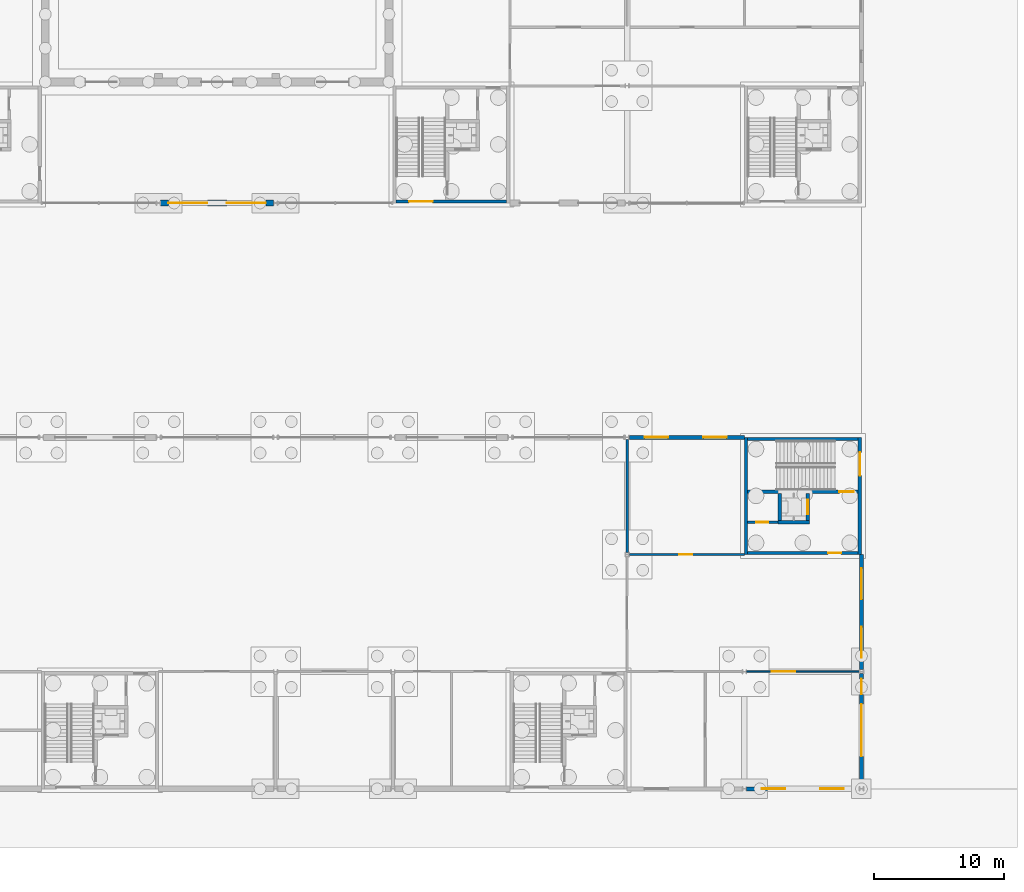
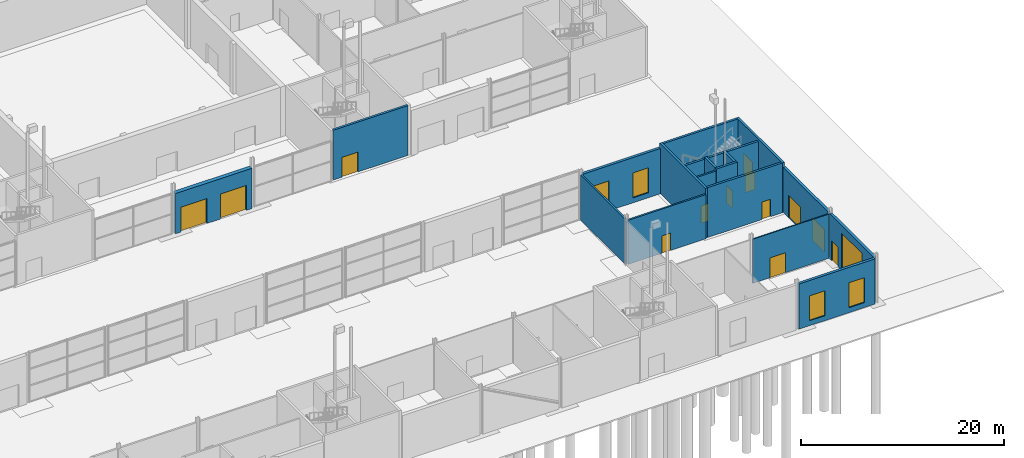
# One storey, part 75 of 97: 18 walls, 14 doors, 4 windows, 18 openings.
"""IFC4 building model written with IfcOpenShell, lengths in metres."""

from ifc_helpers import new_model, si_unit, direction, frame, frame_2d, origin, place, context, subcontext, project, spatial, rectangle, extrude, material, layer, layer_set, type_object, element, fill, save


model = new_model("IFC4")

# Units and contexts
model_context = context("Model", 3, precision=1e-05, world=origin(), true_north=direction((0.0, 1.0)))
body_context = subcontext(model_context, "Body", "Model", "MODEL_VIEW")
ifc_project = project(units=[si_unit("LENGTHUNIT", "METRE"), si_unit("AREAUNIT", "SQUARE_METRE"), si_unit("VOLUMEUNIT", "CUBIC_METRE"), si_unit("PLANEANGLEUNIT", "RADIAN"), si_unit("MASSUNIT", "GRAM", prefix="KILO")], contexts=[model_context])

# Site, building, storey
site_placement = place(None, origin())
site = spatial("IfcSite", under=ifc_project, at=site_placement, CompositionType="ELEMENT")
building_placement = place(site_placement, origin())
building = spatial("IfcBuilding", under=site, at=building_placement, Name="Corbel Yard City Hall", CompositionType="ELEMENT")
storey_placement = place(building_placement, origin())
storey = spatial("IfcBuildingStorey", under=building, at=storey_placement, Name="L00", CompositionType="ELEMENT", Elevation=0.0)

# Wall
ifc_material_1 = material(Name="Concrete N50 (50 MPa)", Category="concrete")
ifc_layer_1 = layer(ifc_material_1, 0.25)
ifc_layer_set_1 = layer_set([ifc_layer_1], Name="Concrete N50 (50 MPa)")
wall_type_1 = type_object("IfcWallType", Name="Core cell wall 250", PredefinedType="SHEAR", material=ifc_layer_set_1)
wall_1_placement = place(storey_placement, frame((171.125, 18.0, 0.0), z_axis=(0.0, 0.0, 1.0), x_axis=(0.0, 1.0, 0.0)))
element("IfcWall", 1, at=wall_1_placement, inside=storey, type_object=wall_type_1, Name="Core PC-S6 west wall", PredefinedType="SHEAR", context=body_context, shape_type="SweptSolid", body=[
    extrude(rectangle(XDim=9.0, YDim=0.25, at=frame_2d((4.5, 0.0))), origin(), (0.0, 0.0, 1.0), 6.0),
])

# Wall, opening, door
wall_2_placement = place(storey_placement, frame((179.875, 18.0, 0.0), z_axis=(0.0, 0.0, 1.0), x_axis=(0.0, 1.0, 0.0)))
wall_2 = element("IfcWall", 2, at=wall_2_placement, inside=storey, type_object=wall_type_1, Name="Core PC-S6 east wall", PredefinedType="SHEAR", context=body_context, shape_type="SweptSolid", body=[
    extrude(rectangle(XDim=9.0, YDim=0.25, at=frame_2d((4.5, 0.0))), origin(), (0.0, 0.0, 1.0), 6.0),
])
opening_1_placement = place(wall_2_placement, frame((6.050048828125, 0.0, 0.0)))
opening_1 = element("IfcOpeningElement", 3, at=opening_1_placement, cuts=wall_2, Name="Opening L00-036", PredefinedType="OPENING", context=body_context, shape_type="SweptSolid", body=[
    extrude(rectangle(XDim=1.800048828125, YDim=2.39990234375, at=frame_2d((0.89990234375, 1.199951171875))), frame((0.0, 0.135009765625, 0.0), z_axis=(0.0, -1.0, 0.0), x_axis=(1.0, 0.0, 0.0)), (0.0, 0.0, 1.0), 0.27001953125),
])
ifc_material_2 = material(Name="Steel Grade G250, insulated infill", Category="steel")
door_type_1 = type_object("IfcDoorType", Name="XD2", OperationType="DOUBLE_DOOR_SINGLE_SWING", PredefinedType="DOOR", material=ifc_material_2)
door_1_placement = place(opening_1_placement, frame((1.800048828125, 0.0, 0.0), z_axis=(0.0, 0.0, 1.0), x_axis=(-1.0, 0.0, 0.0)))
door_1 = element("IfcDoor", 4, at=door_1_placement, inside=storey, type_object=door_type_1, Name="Stair exit door PC-S6", OperationType="DOUBLE_DOOR_SINGLE_SWING", OverallHeight=2.39990234375, OverallWidth=1.800048828125, PredefinedType="DOOR", context=body_context, shape_type="SweptSolid", body=[
    extrude(rectangle(XDim=1.800048828125, YDim=2.39990234375, at=frame_2d((0.89990234375, 1.199951171875))), frame((0.0, 0.02490234375, 0.0), z_axis=(0.0, -1.0, 0.0), x_axis=(1.0, 0.0, 0.0)), (0.0, 0.0, 1.0), 0.050048828125),
])
fill(opening_1, door_1)

wall_3_placement = place(storey_placement, frame((171.25, 18.125, 0.0), z_axis=(0.0, 0.0, 1.0), x_axis=(1.0, 0.0, 0.0)))
wall_3 = element("IfcWall", 5, at=wall_3_placement, inside=storey, type_object=wall_type_1, Name="Core PC-S6 south wall", PredefinedType="SHEAR", context=body_context, shape_type="SweptSolid", body=[
    extrude(rectangle(XDim=8.5, YDim=0.25, at=frame_2d((4.25, 0.0))), origin(), (0.0, 0.0, 1.0), 6.0),
])
opening_2_placement = place(wall_3_placement, frame((6.1875, 0.0, 0.0)))
opening_2 = element("IfcOpeningElement", 6, at=opening_2_placement, cuts=wall_3, Name="Opening L00-105", PredefinedType="OPENING", context=body_context, shape_type="SweptSolid", body=[
    extrude(rectangle(XDim=1.0, YDim=2.10009765625, at=frame_2d((0.5, 1.050048828125))), frame((0.0, 0.135009765625, 0.0), z_axis=(0.0, -1.0, 0.0), x_axis=(1.0, 0.0, 0.0)), (0.0, 0.0, 1.0), 0.27001953125),
])
ifc_material_3 = material(Name="Steel Grade G250", Category="steel")
door_type_2 = type_object("IfcDoorType", Name="FS1", OperationType="SINGLE_SWING_LEFT", PredefinedType="DOOR", material=ifc_material_3)
door_2_placement = place(opening_2_placement, origin())
door_2 = element("IfcDoor", 7, at=door_2_placement, inside=storey, type_object=door_type_2, Name="Door Lift Lobby", OperationType="SINGLE_SWING_RIGHT", OverallHeight=2.10009765625, OverallWidth=1.0, PredefinedType="DOOR", context=body_context, shape_type="SweptSolid", body=[
    extrude(rectangle(XDim=1.0, YDim=2.10009765625, at=frame_2d((0.5, 1.050048828125))), frame((0.0, 0.02490234375, 0.0), z_axis=(0.0, -1.0, 0.0), x_axis=(1.0, 0.0, 0.0)), (0.0, 0.0, 1.0), 0.050048828125),
])
fill(opening_2, door_2)

# Wall
wall_4_placement = place(storey_placement, frame((171.25, 26.875, 0.0), z_axis=(0.0, 0.0, 1.0), x_axis=(1.0, 0.0, 0.0)))
element("IfcWall", 8, at=wall_4_placement, inside=storey, type_object=wall_type_1, Name="Core PC-S6 north wall", PredefinedType="SHEAR", context=body_context, shape_type="SweptSolid", body=[
    extrude(rectangle(XDim=8.5, YDim=0.25, at=frame_2d((4.25, 0.0))), origin(), (0.0, 0.0, 1.0), 6.0),
])

# Wall, opening, door
wall_5_placement = place(storey_placement, frame((144.25, 45.125, 0.0), z_axis=(0.0, 0.0, 1.0), x_axis=(1.0, 0.0, 0.0)))
wall_5 = element("IfcWall", 9, at=wall_5_placement, inside=storey, type_object=wall_type_1, Name="Core PC-M4 south wall", PredefinedType="SHEAR", context=body_context, shape_type="SweptSolid", body=[
    extrude(rectangle(XDim=8.5, YDim=0.25, at=frame_2d((4.25, 0.0))), origin(), (0.0, 0.0, 1.0), 6.0),
])
opening_3_placement = place(wall_5_placement, frame((1.0, 0.0, 0.0)))
opening_3 = element("IfcOpeningElement", 10, at=opening_3_placement, cuts=wall_5, Name="Opening L00-042", PredefinedType="OPENING", context=body_context, shape_type="SweptSolid", body=[
    extrude(rectangle(XDim=1.800048828125, YDim=2.39990234375, at=frame_2d((0.89990234375, 1.199951171875))), frame((0.0, 0.135009765625, 0.0), z_axis=(0.0, -1.0, 0.0), x_axis=(1.0, 0.0, 0.0)), (0.0, 0.0, 1.0), 0.27001953125),
])
door_3_placement = place(opening_3_placement, frame((1.800048828125, 0.0, 0.0), z_axis=(0.0, 0.0, 1.0), x_axis=(-1.0, 0.0, 0.0)))
door_3 = element("IfcDoor", 11, at=door_3_placement, inside=storey, type_object=door_type_1, Name="Stair exit door PC-M4", OperationType="DOUBLE_DOOR_SINGLE_SWING", OverallHeight=2.39990234375, OverallWidth=1.800048828125, PredefinedType="DOOR", context=body_context, shape_type="SweptSolid", body=[
    extrude(rectangle(XDim=1.800048828125, YDim=2.39990234375, at=frame_2d((0.89990234375, 1.199951171875))), frame((0.0, 0.02490234375, 0.0), z_axis=(0.0, -1.0, 0.0), x_axis=(1.0, 0.0, 0.0)), (0.0, 0.0, 1.0), 0.050048828125),
])
fill(opening_3, door_3)

# Wall, openings, windows
ifc_material_4 = material(Name="Sandstone cladding", Category="masonry")
ifc_layer_2 = layer(ifc_material_4, 0.0400390625)
ifc_material_5 = material(Name="Air cavity", Category="air")
ifc_layer_3 = layer(ifc_material_5, 0.0400390625)
ifc_material_6 = material(Name="Concrete block", Category="concrete")
ifc_layer_4 = layer(ifc_material_6, 0.18994140625)
ifc_material_7 = material(Name="Gypsum plasterboard", Category="gypsum")
ifc_layer_5 = layer(ifc_material_7, 0.030029296875)
ifc_layer_set_2 = layer_set([ifc_layer_2, ifc_layer_3, ifc_layer_4, ifc_layer_5], Name="Concrete block")
wall_type_2 = type_object("IfcWallType", Name="EW1", PredefinedType="SOLIDWALL", material=ifc_layer_set_2)
wall_6_placement = place(storey_placement, frame((171.157470703125, 0.0, 0.0), z_axis=(0.0, 0.0, 1.0), x_axis=(1.0, 0.0, 0.0)))
wall_6 = element("IfcWall", 12, at=wall_6_placement, inside=storey, type_object=wall_type_2, Name="External wall", PredefinedType="SOLIDWALL", context=body_context, shape_type="SweptSolid", body=[
    extrude(rectangle(XDim=8.68505859375, YDim=0.300048828125, at=frame_2d((4.342529296875, 0.0))), origin(), (0.0, 0.0, 1.0), 5.444091796875),
])
opening_4_placement = place(wall_6_placement, frame((1.1923828125, 0.0, 0.60009765625)))
opening_4 = element("IfcOpeningElement", 13, at=opening_4_placement, cuts=wall_6, Name="Opening WN2", PredefinedType="OPENING", context=body_context, shape_type="SweptSolid", body=[
    extrude(rectangle(XDim=1.800048828125, YDim=3.0, at=frame_2d((0.89990234375, 1.5))), frame((0.0, 0.159912109375, 0.0), z_axis=(0.0, -1.0, 0.0), x_axis=(1.0, 0.0, 0.0)), (0.0, 0.0, 1.0), 0.320068359375),
])
opening_5_placement = place(wall_6_placement, frame((5.6923828125, 0.0, 0.60009765625)))
opening_5 = element("IfcOpeningElement", 14, at=opening_5_placement, cuts=wall_6, Name="Opening WN2", PredefinedType="OPENING", context=body_context, shape_type="SweptSolid", body=[
    extrude(rectangle(XDim=1.800048828125, YDim=3.0, at=frame_2d((0.89990234375, 1.5))), frame((0.0, 0.159912109375, 0.0), z_axis=(0.0, -1.0, 0.0), x_axis=(1.0, 0.0, 0.0)), (0.0, 0.0, 1.0), 0.320068359375),
])
ifc_material_8 = material(Name="Aluminium frame, double glazed low-e glass", Category="aluminium")
window_type = type_object("IfcWindowType", Name="WN2", PartitioningType="SINGLE_PANEL", PredefinedType="WINDOW", material=ifc_material_8)
window_1_placement = place(opening_4_placement, origin())
window_1 = element("IfcWindow", 15, at=window_1_placement, inside=storey, type_object=window_type, Name="Window WN2 L00", OverallHeight=3.0, OverallWidth=1.800048828125, PartitioningType="SINGLE_PANEL", PredefinedType="WINDOW", context=body_context, shape_type="SweptSolid", body=[
    extrude(rectangle(XDim=1.800048828125, YDim=3.0, at=frame_2d((0.89990234375, 1.5))), frame((0.0, 0.030029296875, 0.0), z_axis=(0.0, -1.0, 0.0), x_axis=(1.0, 0.0, 0.0)), (0.0, 0.0, 1.0), 0.06005859375),
])
fill(opening_4, window_1)
window_2_placement = place(opening_5_placement, origin())
window_2 = element("IfcWindow", 16, at=window_2_placement, inside=storey, type_object=window_type, Name="Window WN2 L00", OverallHeight=3.0, OverallWidth=1.800048828125, PartitioningType="SINGLE_PANEL", PredefinedType="WINDOW", context=body_context, shape_type="SweptSolid", body=[
    extrude(rectangle(XDim=1.800048828125, YDim=3.0, at=frame_2d((0.89990234375, 1.5))), frame((0.0, 0.030029296875, 0.0), z_axis=(0.0, -1.0, 0.0), x_axis=(1.0, 0.0, 0.0)), (0.0, 0.0, 1.0), 0.06005859375),
])
fill(opening_5, window_2)

wall_7_placement = place(storey_placement, frame((162.16357421875, 27.0, 0.0), z_axis=(0.0, 0.0, 1.0), x_axis=(1.0, 0.0, 0.0)))
wall_7 = element("IfcWall", 17, at=wall_7_placement, inside=storey, type_object=wall_type_2, Name="External wall", PredefinedType="SOLIDWALL", context=body_context, shape_type="SweptSolid", body=[
    extrude(rectangle(XDim=8.83642578125, YDim=0.300048828125, at=frame_2d((4.418212890625, 0.0))), origin(), (0.0, 0.0, 1.0), 5.444091796875),
])
opening_6_placement = place(wall_7_placement, frame((1.1865234375, 0.0, 0.60009765625)))
opening_6 = element("IfcOpeningElement", 18, at=opening_6_placement, cuts=wall_7, Name="Opening WN2", PredefinedType="OPENING", context=body_context, shape_type="SweptSolid", body=[
    extrude(rectangle(XDim=1.800048828125, YDim=3.0, at=frame_2d((0.89990234375, 1.5))), frame((0.0, 0.159912109375, 0.0), z_axis=(0.0, -1.0, 0.0), x_axis=(1.0, 0.0, 0.0)), (0.0, 0.0, 1.0), 0.320068359375),
])
opening_7_placement = place(wall_7_placement, frame((5.6865234375, 0.0, 0.60009765625)))
opening_7 = element("IfcOpeningElement", 19, at=opening_7_placement, cuts=wall_7, Name="Opening WN2", PredefinedType="OPENING", context=body_context, shape_type="SweptSolid", body=[
    extrude(rectangle(XDim=1.800048828125, YDim=3.0, at=frame_2d((0.89990234375, 1.5))), frame((0.0, 0.159912109375, 0.0), z_axis=(0.0, -1.0, 0.0), x_axis=(1.0, 0.0, 0.0)), (0.0, 0.0, 1.0), 0.320068359375),
])
window_3_placement = place(opening_6_placement, origin())
window_3 = element("IfcWindow", 20, at=window_3_placement, inside=storey, type_object=window_type, Name="Window WN2 L00", OverallHeight=3.0, OverallWidth=1.800048828125, PartitioningType="SINGLE_PANEL", PredefinedType="WINDOW", context=body_context, shape_type="SweptSolid", body=[
    extrude(rectangle(XDim=1.800048828125, YDim=3.0, at=frame_2d((0.89990234375, 1.5))), frame((0.0, 0.030029296875, 0.0), z_axis=(0.0, -1.0, 0.0), x_axis=(1.0, 0.0, 0.0)), (0.0, 0.0, 1.0), 0.06005859375),
])
fill(opening_6, window_3)
window_4_placement = place(opening_7_placement, origin())
window_4 = element("IfcWindow", 21, at=window_4_placement, inside=storey, type_object=window_type, Name="Window WN2 L00", OverallHeight=3.0, OverallWidth=1.800048828125, PartitioningType="SINGLE_PANEL", PredefinedType="WINDOW", context=body_context, shape_type="SweptSolid", body=[
    extrude(rectangle(XDim=1.800048828125, YDim=3.0, at=frame_2d((0.89990234375, 1.5))), frame((0.0, 0.030029296875, 0.0), z_axis=(0.0, -1.0, 0.0), x_axis=(1.0, 0.0, 0.0)), (0.0, 0.0, 1.0), 0.06005859375),
])
fill(opening_7, window_4)

# Wall, openings, doors
ifc_layer_6 = layer(ifc_material_4, 0.06005859375)
ifc_layer_7 = layer(ifc_material_5, 0.0400390625)
ifc_material_9 = material(Name="Concrete N40 (40 MPa)", Category="concrete")
ifc_layer_8 = layer(ifc_material_9, 0.25)
ifc_material_10 = material(Name="Mineral wool", Category="insulation")
ifc_layer_9 = layer(ifc_material_10, 0.10009765625)
ifc_layer_set_3 = layer_set([ifc_layer_6, ifc_layer_7, ifc_layer_8, ifc_layer_9], Name="Concrete N40 (40 MPa)")
wall_type_3 = type_object("IfcWallType", Name="EW2", PredefinedType="SOLIDWALL", material=ifc_layer_set_3)
wall_8_placement = place(storey_placement, frame((126.157470703125, 45.0, 0.0), z_axis=(0.0, 0.0, 1.0), x_axis=(1.0, 0.0, 0.0)))
wall_8 = element("IfcWall", 22, at=wall_8_placement, inside=storey, type_object=wall_type_3, Name="Entrance pier wall", PredefinedType="SOLIDWALL", context=body_context, shape_type="SweptSolid", body=[
    extrude(rectangle(XDim=8.68505859375, YDim=0.449951171875, at=frame_2d((4.342529296875, 0.0))), origin(), (0.0, 0.0, 1.0), 4.85009765625),
])
opening_8_placement = place(wall_8_placement, frame((0.592529296875, 0.0, 0.0)))
opening_8 = element("IfcOpeningElement", 23, at=opening_8_placement, cuts=wall_8, Name="Opening L00-015", PredefinedType="OPENING", context=body_context, shape_type="SweptSolid", body=[
    extrude(rectangle(XDim=3.0, YDim=3.0, at=frame_2d((1.5, 1.5))), frame((0.0, 0.23486328125, 0.0), z_axis=(0.0, -1.0, 0.0), x_axis=(1.0, 0.0, 0.0)), (0.0, 0.0, 1.0), 0.469970703125),
])
opening_9_placement = place(wall_8_placement, frame((5.092529296875, 0.0, 0.0)))
opening_9 = element("IfcOpeningElement", 24, at=opening_9_placement, cuts=wall_8, Name="Opening L00-016", PredefinedType="OPENING", context=body_context, shape_type="SweptSolid", body=[
    extrude(rectangle(XDim=3.0, YDim=3.0, at=frame_2d((1.5, 1.5))), frame((0.0, 0.23486328125, 0.0), z_axis=(0.0, -1.0, 0.0), x_axis=(1.0, 0.0, 0.0)), (0.0, 0.0, 1.0), 0.469970703125),
])
ifc_material_11 = material(Name="Aluminium frame, toughened laminated glass", Category="aluminium")
door_type_3 = type_object("IfcDoorType", Name="XD7", OperationType="DOUBLE_DOOR_SINGLE_SWING", PredefinedType="DOOR", material=ifc_material_11)
door_4_placement = place(opening_8_placement, frame((3.0, 0.0, 0.0), z_axis=(0.0, 0.0, 1.0), x_axis=(-1.0, 0.0, 0.0)))
door_4 = element("IfcDoor", 25, at=door_4_placement, inside=storey, type_object=door_type_3, Name="Chamber entrance door 1", OperationType="DOUBLE_DOOR_SINGLE_SWING", OverallHeight=3.0, OverallWidth=3.0, PredefinedType="DOOR", context=body_context, shape_type="SweptSolid", body=[
    extrude(rectangle(XDim=3.0, YDim=3.0, at=frame_2d((1.5, 1.5))), frame((0.0, 0.02490234375, 0.0), z_axis=(0.0, -1.0, 0.0), x_axis=(1.0, 0.0, 0.0)), (0.0, 0.0, 1.0), 0.050048828125),
])
fill(opening_8, door_4)
door_5_placement = place(opening_9_placement, frame((3.0, 0.0, 0.0), z_axis=(0.0, 0.0, 1.0), x_axis=(-1.0, 0.0, 0.0)))
door_5 = element("IfcDoor", 26, at=door_5_placement, inside=storey, type_object=door_type_3, Name="Chamber entrance door 2", OperationType="DOUBLE_DOOR_SINGLE_SWING", OverallHeight=3.0, OverallWidth=3.0, PredefinedType="DOOR", context=body_context, shape_type="SweptSolid", body=[
    extrude(rectangle(XDim=3.0, YDim=3.0, at=frame_2d((1.5, 1.5))), frame((0.0, 0.02490234375, 0.0), z_axis=(0.0, -1.0, 0.0), x_axis=(1.0, 0.0, 0.0)), (0.0, 0.0, 1.0), 0.050048828125),
])
fill(opening_9, door_5)

ifc_material_12 = material(Name="Cement render", Category="render")
ifc_layer_10 = layer(ifc_material_12, 0.02001953125)
ifc_layer_11 = layer(ifc_material_6, 0.18994140625)
ifc_layer_12 = layer(ifc_material_7, 0.0400390625)
ifc_layer_13 = layer(ifc_material_10, 0.030029296875)
ifc_layer_set_4 = layer_set([ifc_layer_10, ifc_layer_11, ifc_layer_12, ifc_layer_13], Name="Concrete block")
wall_type_4 = type_object("IfcWallType", Name="EW4", PredefinedType="SOLIDWALL", material=ifc_layer_set_4)
wall_9_placement = place(storey_placement, frame((180.0, 0.153564453125, 0.0), z_axis=(0.0, 0.0, 1.0), x_axis=(0.0, 1.0, 0.0)))
wall_9 = element("IfcWall", 27, at=wall_9_placement, inside=storey, type_object=wall_type_4, Name="Loading dock wall", PredefinedType="SOLIDWALL", context=body_context, shape_type="SweptSolid", body=[
    extrude(rectangle(XDim=8.69287109375, YDim=0.280029296875, at=frame_2d((4.346435546875, 0.0))), origin(), (0.0, 0.0, 1.0), 5.444091796875),
])
opening_10_placement = place(wall_9_placement, frame((2.346435546875, 0.0, 0.0)))
opening_10 = element("IfcOpeningElement", 28, at=opening_10_placement, cuts=wall_9, Name="Opening L00-026", PredefinedType="OPENING", context=body_context, shape_type="SweptSolid", body=[
    extrude(rectangle(XDim=4.0, YDim=4.5, at=frame_2d((2.0, 2.25))), frame((0.0, 0.14990234375, 0.0), z_axis=(0.0, -1.0, 0.0), x_axis=(1.0, 0.0, 0.0)), (0.0, 0.0, 1.0), 0.300048828125),
])
opening_11_placement = place(wall_9_placement, frame((7.093017578125, 0.0, 0.0)))
opening_11 = element("IfcOpeningElement", 29, at=opening_11_placement, cuts=wall_9, Name="Opening L00-056", PredefinedType="OPENING", context=body_context, shape_type="SweptSolid", body=[
    extrude(rectangle(XDim=1.199951171875, YDim=2.39990234375, at=frame_2d((0.60009765625, 1.199951171875))), frame((0.0, 0.14990234375, 0.0), z_axis=(0.0, -1.0, 0.0), x_axis=(1.0, 0.0, 0.0)), (0.0, 0.0, 1.0), 0.300048828125),
])
door_type_4 = type_object("IfcDoorType", Name="XD11", OperationType="SINGLE_SWING_LEFT", PredefinedType="DOOR", material=ifc_material_2)
door_6_placement = place(opening_11_placement, frame((1.199951171875, 0.0, 0.0), z_axis=(0.0, 0.0, 1.0), x_axis=(-1.0, 0.0, 0.0)))
door_6 = element("IfcDoor", 30, at=door_6_placement, inside=storey, type_object=door_type_4, Name="Loading dock personnel door", OperationType="SINGLE_SWING_RIGHT", OverallHeight=2.39990234375, OverallWidth=1.199951171875, PredefinedType="DOOR", context=body_context, shape_type="SweptSolid", body=[
    extrude(rectangle(XDim=1.199951171875, YDim=2.39990234375, at=frame_2d((0.60009765625, 1.199951171875))), frame((0.0, 0.02490234375, 0.0), z_axis=(0.0, -1.0, 0.0), x_axis=(1.0, 0.0, 0.0)), (0.0, 0.0, 1.0), 0.050048828125),
])
fill(opening_11, door_6)
door_type_5 = type_object("IfcDoorType", Name="XD4", OperationType="ROLLINGUP", PredefinedType="DOOR", material=ifc_material_3)
door_7_placement = place(opening_10_placement, frame((4.0, 0.0, 0.0), z_axis=(0.0, 0.0, 1.0), x_axis=(-1.0, 0.0, 0.0)))
door_7 = element("IfcDoor", 31, at=door_7_placement, inside=storey, type_object=door_type_5, Name="Loading dock door", OperationType="ROLLINGUP", OverallHeight=4.5, OverallWidth=4.0, PredefinedType="DOOR", context=body_context, shape_type="SweptSolid", body=[
    extrude(rectangle(XDim=4.0, YDim=4.5, at=frame_2d((2.0, 2.25))), frame((0.0, 0.02490234375, 0.0), z_axis=(0.0, -1.0, 0.0), x_axis=(1.0, 0.0, 0.0)), (0.0, 0.0, 1.0), 0.050048828125),
])
fill(opening_10, door_7)

ifc_layer_14 = layer(ifc_material_4, 0.0400390625)
ifc_layer_15 = layer(ifc_material_5, 0.030029296875)
ifc_layer_16 = layer(ifc_material_9, 0.18994140625)
ifc_layer_17 = layer(ifc_material_7, 0.0400390625)
ifc_layer_set_5 = layer_set([ifc_layer_14, ifc_layer_15, ifc_layer_16, ifc_layer_17], Name="Concrete N40 (40 MPa)")
wall_type_5 = type_object("IfcWallType", Name="EW7", PredefinedType="SOLIDWALL", material=ifc_layer_set_5)
wall_10_placement = place(storey_placement, frame((180.0, 9.153564453125, 0.0), z_axis=(0.0, 0.0, 1.0), x_axis=(0.0, 1.0, 0.0)))
wall_10 = element("IfcWall", 32, at=wall_10_placement, inside=storey, type_object=wall_type_5, Name="Entrance pier wall", PredefinedType="SOLIDWALL", context=body_context, shape_type="SweptSolid", body=[
    extrude(rectangle(XDim=8.846435546875, YDim=0.300048828125, at=frame_2d((4.42333984375, 0.0))), origin(), (0.0, 0.0, 1.0), 5.444091796875),
])
opening_12_placement = place(wall_10_placement, frame((0.896484375, 0.0, 0.0)))
opening_12 = element("IfcOpeningElement", 33, at=opening_12_placement, cuts=wall_10, Name="Opening L00-027", PredefinedType="OPENING", context=body_context, shape_type="SweptSolid", body=[
    extrude(rectangle(XDim=2.39990234375, YDim=2.699951171875, at=frame_2d((1.199951171875, 1.35009765625))), frame((0.0, 0.159912109375, 0.0), z_axis=(0.0, -1.0, 0.0), x_axis=(1.0, 0.0, 0.0)), (0.0, 0.0, 1.0), 0.320068359375),
])
opening_13_placement = place(wall_10_placement, frame((5.396484375, 0.0, 0.0)))
opening_13 = element("IfcOpeningElement", 34, at=opening_13_placement, cuts=wall_10, Name="Opening L00-028", PredefinedType="OPENING", context=body_context, shape_type="SweptSolid", body=[
    extrude(rectangle(XDim=2.39990234375, YDim=2.699951171875, at=frame_2d((1.199951171875, 1.35009765625))), frame((0.0, 0.159912109375, 0.0), z_axis=(0.0, -1.0, 0.0), x_axis=(1.0, 0.0, 0.0)), (0.0, 0.0, 1.0), 0.320068359375),
])
door_type_6 = type_object("IfcDoorType", Name="XD1", OperationType="DOUBLE_DOOR_SINGLE_SWING", PredefinedType="DOOR", material=ifc_material_11)
door_8_placement = place(opening_12_placement, frame((2.39990234375, 0.0, 0.0), z_axis=(0.0, 0.0, 1.0), x_axis=(-1.0, 0.0, 0.0)))
door_8 = element("IfcDoor", 35, at=door_8_placement, inside=storey, type_object=door_type_6, Name="East Entrance door 1", OperationType="DOUBLE_DOOR_SINGLE_SWING", OverallHeight=2.699951171875, OverallWidth=2.39990234375, PredefinedType="DOOR", context=body_context, shape_type="SweptSolid", body=[
    extrude(rectangle(XDim=2.39990234375, YDim=2.699951171875, at=frame_2d((1.199951171875, 1.35009765625))), frame((0.0, 0.02490234375, 0.0), z_axis=(0.0, -1.0, 0.0), x_axis=(1.0, 0.0, 0.0)), (0.0, 0.0, 1.0), 0.050048828125),
])
fill(opening_12, door_8)
door_9_placement = place(opening_13_placement, frame((2.39990234375, 0.0, 0.0), z_axis=(0.0, 0.0, 1.0), x_axis=(-1.0, 0.0, 0.0)))
door_9 = element("IfcDoor", 36, at=door_9_placement, inside=storey, type_object=door_type_6, Name="East Entrance door 2", OperationType="DOUBLE_DOOR_SINGLE_SWING", OverallHeight=2.699951171875, OverallWidth=2.39990234375, PredefinedType="DOOR", context=body_context, shape_type="SweptSolid", body=[
    extrude(rectangle(XDim=2.39990234375, YDim=2.699951171875, at=frame_2d((1.199951171875, 1.35009765625))), frame((0.0, 0.02490234375, 0.0), z_axis=(0.0, -1.0, 0.0), x_axis=(1.0, 0.0, 0.0)), (0.0, 0.0, 1.0), 0.050048828125),
])
fill(opening_13, door_9)

# Wall, opening, door
ifc_layer_18 = layer(ifc_material_9, 0.25)
ifc_layer_set_6 = layer_set([ifc_layer_18], Name="Concrete N40 (40 MPa)")
wall_type_6 = type_object("IfcWallType", Name="IW2", PredefinedType="SOLIDWALL", material=ifc_layer_set_6)
wall_11_placement = place(storey_placement, frame((179.75, 22.824951171875, 0.0), z_axis=(0.0, 0.0, 1.0), x_axis=(-1.0, 0.0, 0.0)))
wall_11 = element("IfcWall", 37, at=wall_11_placement, inside=storey, type_object=wall_type_6, Name="Stair enclosure wall", PredefinedType="SOLIDWALL", context=body_context, shape_type="SweptSolid", body=[
    extrude(rectangle(XDim=8.5, YDim=0.25, at=frame_2d((4.25, 0.0))), origin(), (0.0, 0.0, 1.0), 5.75),
])
opening_14_placement = place(wall_11_placement, frame((0.35009765625, 0.0, 0.0)))
opening_14 = element("IfcOpeningElement", 38, at=opening_14_placement, cuts=wall_11, Name="Opening L00-104", PredefinedType="OPENING", context=body_context, shape_type="SweptSolid", body=[
    extrude(rectangle(XDim=1.10009765625, YDim=2.10009765625, at=frame_2d((0.550048828125, 1.050048828125))), frame((0.0, 0.135009765625, 0.0), z_axis=(0.0, -1.0, 0.0), x_axis=(1.0, 0.0, 0.0)), (0.0, 0.0, 1.0), 0.27001953125),
])
door_type_7 = type_object("IfcDoorType", Name="FS11", OperationType="SINGLE_SWING_LEFT", PredefinedType="DOOR", material=ifc_material_3)
door_10_placement = place(opening_14_placement, frame((1.10009765625, 0.0, 0.0), z_axis=(0.0, 0.0, 1.0), x_axis=(-1.0, 0.0, 0.0)))
door_10 = element("IfcDoor", 39, at=door_10_placement, inside=storey, type_object=door_type_7, Name="Door Exit Stair 7", OperationType="SINGLE_SWING_RIGHT", OverallHeight=2.10009765625, OverallWidth=1.10009765625, PredefinedType="DOOR", context=body_context, shape_type="SweptSolid", body=[
    extrude(rectangle(XDim=1.10009765625, YDim=2.10009765625, at=frame_2d((0.550048828125, 1.050048828125))), frame((0.0, 0.02490234375, 0.0), z_axis=(0.0, -1.0, 0.0), x_axis=(1.0, 0.0, 0.0)), (0.0, 0.0, 1.0), 0.050048828125),
])
fill(opening_14, door_10)

# Walls
wall_12_placement = place(storey_placement, frame((173.60009765625, 20.47509765625, -1.39990234375), z_axis=(0.0, 0.0, 1.0), x_axis=(1.0, 0.0, 0.0)))
element("IfcWall", 40, at=wall_12_placement, inside=storey, type_object=wall_type_6, Name="Lift LP7 shaft wall", PredefinedType="SOLIDWALL", context=body_context, shape_type="SweptSolid", body=[
    extrude(rectangle(XDim=2.39990234375, YDim=0.25, at=frame_2d((1.199951171875, 0.0))), origin(), (0.0, 0.0, 1.0), 7.39990234375),
])
wall_13_placement = place(storey_placement, frame((173.72509765625, 20.60009765625, -1.39990234375), z_axis=(0.0, 0.0, 1.0), x_axis=(0.0, 1.0, 0.0)))
element("IfcWall", 41, at=wall_13_placement, inside=storey, type_object=wall_type_6, Name="Lift LP7 shaft wall", PredefinedType="SOLIDWALL", context=body_context, shape_type="SweptSolid", body=[
    extrude(rectangle(XDim=2.099853515625, YDim=0.25, at=frame_2d((1.0498046875, 0.0))), origin(), (0.0, 0.0, 1.0), 7.39990234375),
])

# Wall, opening, door
wall_14_placement = place(storey_placement, frame((175.875, 20.60009765625, -1.39990234375), z_axis=(0.0, 0.0, 1.0), x_axis=(0.0, 1.0, 0.0)))
wall_14 = element("IfcWall", 42, at=wall_14_placement, inside=storey, type_object=wall_type_6, Name="Lift LP7 shaft wall", PredefinedType="SOLIDWALL", context=body_context, shape_type="SweptSolid", body=[
    extrude(rectangle(XDim=2.099853515625, YDim=0.25, at=frame_2d((1.0498046875, 0.0))), origin(), (0.0, 0.0, 1.0), 7.39990234375),
])
opening_15_placement = place(wall_14_placement, frame((0.5, 0.0, 1.39990234375)))
opening_15 = element("IfcOpeningElement", 43, at=opening_15_placement, cuts=wall_14, Name="Opening L00-063", PredefinedType="OPENING", context=body_context, shape_type="SweptSolid", body=[
    extrude(rectangle(XDim=1.10009765625, YDim=2.10009765625, at=frame_2d((0.550048828125, 1.050048828125))), frame((0.0, 0.135009765625, 0.0), z_axis=(0.0, -1.0, 0.0), x_axis=(1.0, 0.0, 0.0)), (0.0, 0.0, 1.0), 0.27001953125),
])
ifc_material_13 = material(Name="Stainless steel Grade 316", Category="steel")
door_type_8 = type_object("IfcDoorType", Name="LD1", OperationType="DOUBLE_DOOR_SLIDING", PredefinedType="DOOR", material=ifc_material_13)
door_11_placement = place(opening_15_placement, origin())
door_11 = element("IfcDoor", 44, at=door_11_placement, inside=storey, type_object=door_type_8, Name="Lift LP7 landing door", OperationType="DOUBLE_DOOR_SLIDING", OverallHeight=2.10009765625, OverallWidth=1.10009765625, PredefinedType="DOOR", context=body_context, shape_type="SweptSolid", body=[
    extrude(rectangle(XDim=1.10009765625, YDim=2.10009765625, at=frame_2d((0.550048828125, 1.050048828125))), frame((0.0, 0.02490234375, 0.0), z_axis=(0.0, -1.0, 0.0), x_axis=(1.0, 0.0, 0.0)), (0.0, 0.0, 1.0), 0.050048828125),
])
fill(opening_15, door_11)

ifc_layer_19 = layer(ifc_material_7, 0.028076171875)
ifc_material_14 = material(Name="Steel Grade G550 (550 MPa yield)", Category="steel")
ifc_layer_20 = layer(ifc_material_14, 0.06396484375)
ifc_layer_21 = layer(ifc_material_7, 0.028076171875)
ifc_layer_set_7 = layer_set([ifc_layer_19, ifc_layer_20, ifc_layer_21], Name="Steel Grade G550 (550 MPa yield)")
wall_type_7 = type_object("IfcWallType", Name="PT1", PredefinedType="PARTITIONING", material=ifc_layer_set_7)
wall_15_placement = place(storey_placement, frame((171.16357421875, 9.0, 0.0), z_axis=(0.0, 0.0, 1.0), x_axis=(1.0, 0.0, 0.0)))
wall_15 = element("IfcWall", 45, at=wall_15_placement, inside=storey, type_object=wall_type_7, Name="Partition", PredefinedType="PARTITIONING", context=body_context, shape_type="SweptSolid", body=[
    extrude(rectangle(XDim=8.678955078125, YDim=0.1201171875, at=frame_2d((4.33935546875, 0.0))), origin(), (0.0, 0.0, 1.0), 5.322021484375),
])
opening_16_placement = place(wall_15_placement, frame((1.9365234375, 0.0, 0.0)))
opening_16 = element("IfcOpeningElement", 46, at=opening_16_placement, cuts=wall_15, Name="Opening L00-102", PredefinedType="OPENING", context=body_context, shape_type="SweptSolid", body=[
    extrude(rectangle(XDim=1.800048828125, YDim=2.39990234375, at=frame_2d((0.89990234375, 1.199951171875))), frame((0.0, 0.070068359375, 0.0), z_axis=(0.0, -1.0, 0.0), x_axis=(1.0, 0.0, 0.0)), (0.0, 0.0, 1.0), 0.14013671875),
])
door_type_9 = type_object("IfcDoorType", Name="D13", OperationType="DOUBLE_DOOR_SINGLE_SWING", PredefinedType="DOOR", material=ifc_material_3)
door_12_placement = place(opening_16_placement, origin())
door_12 = element("IfcDoor", 47, at=door_12_placement, inside=storey, type_object=door_type_9, Name="Door Loading Dock", OperationType="DOUBLE_DOOR_SINGLE_SWING", OverallHeight=2.39990234375, OverallWidth=1.800048828125, PredefinedType="DOOR", context=body_context, shape_type="SweptSolid", body=[
    extrude(rectangle(XDim=1.800048828125, YDim=2.39990234375, at=frame_2d((0.89990234375, 1.199951171875))), frame((0.0, 0.02490234375, 0.0), z_axis=(0.0, -1.0, 0.0), x_axis=(1.0, 0.0, 0.0)), (0.0, 0.0, 1.0), 0.050048828125),
])
fill(opening_16, door_12)

ifc_material_15 = material(Name="Concrete block", Category="concrete")
ifc_layer_22 = layer(ifc_material_15, 0.18994140625)
ifc_layer_set_8 = layer_set([ifc_layer_22], Name="Concrete block")
wall_type_8 = type_object("IfcWallType", Name="PT4", PredefinedType="PARTITIONING", material=ifc_layer_set_8)
wall_16_placement = place(storey_placement, frame((162.16357421875, 18.0, 0.0), z_axis=(0.0, 0.0, 1.0), x_axis=(1.0, 0.0, 0.0)))
wall_16 = element("IfcWall", 48, at=wall_16_placement, inside=storey, type_object=wall_type_8, Name="Fire-resisting block wall", PredefinedType="PARTITIONING", context=body_context, shape_type="SweptSolid", body=[
    extrude(rectangle(XDim=8.83642578125, YDim=0.18994140625, at=frame_2d((4.418212890625, 0.0))), origin(), (0.0, 0.0, 1.0), 5.322021484375),
])
opening_17_placement = place(wall_16_placement, frame((3.83642578125, 0.0, 0.0)))
opening_17 = element("IfcOpeningElement", 49, at=opening_17_placement, cuts=wall_16, Name="Opening L00-103", PredefinedType="OPENING", context=body_context, shape_type="SweptSolid", body=[
    extrude(rectangle(XDim=1.0, YDim=2.10009765625, at=frame_2d((0.5, 1.050048828125))), frame((0.0, 0.10498046875, 0.0), z_axis=(0.0, -1.0, 0.0), x_axis=(1.0, 0.0, 0.0)), (0.0, 0.0, 1.0), 0.2099609375),
])
door_13_placement = place(opening_17_placement, origin())
door_13 = element("IfcDoor", 50, at=door_13_placement, inside=storey, type_object=door_type_2, Name="Door Electrical Switch Room", OperationType="SINGLE_SWING_LEFT", OverallHeight=2.10009765625, OverallWidth=1.0, PredefinedType="DOOR", context=body_context, shape_type="SweptSolid", body=[
    extrude(rectangle(XDim=1.0, YDim=2.10009765625, at=frame_2d((0.5, 1.050048828125))), frame((0.0, 0.02490234375, 0.0), z_axis=(0.0, -1.0, 0.0), x_axis=(1.0, 0.0, 0.0)), (0.0, 0.0, 1.0), 0.050048828125),
])
fill(opening_17, door_13)

wall_17_placement = place(storey_placement, frame((171.25, 20.47509765625, 0.0), z_axis=(0.0, 0.0, 1.0), x_axis=(1.0, 0.0, 0.0)))
wall_17 = element("IfcWall", 51, at=wall_17_placement, inside=storey, type_object=wall_type_8, Name="Fire-resisting block wall", PredefinedType="PARTITIONING", context=body_context, shape_type="SweptSolid", body=[
    extrude(rectangle(XDim=2.35009765625, YDim=0.18994140625, at=frame_2d((1.175048828125, 0.0))), origin(), (0.0, 0.0, 1.0), 5.75),
])
opening_18_placement = place(wall_17_placement, frame((0.652587890625, 0.0, 0.0)))
opening_18 = element("IfcOpeningElement", 52, at=opening_18_placement, cuts=wall_17, Name="Opening L00-106", PredefinedType="OPENING", context=body_context, shape_type="SweptSolid", body=[
    extrude(rectangle(XDim=0.919921875, YDim=2.10009765625, at=frame_2d((0.4599609375, 1.050048828125))), frame((0.0, 0.10498046875, 0.0), z_axis=(0.0, -1.0, 0.0), x_axis=(1.0, 0.0, 0.0)), (0.0, 0.0, 1.0), 0.2099609375),
])
door_type_10 = type_object("IfcDoorType", Name="FS5", OperationType="SINGLE_SWING_RIGHT", PredefinedType="DOOR", material=ifc_material_3)
door_14_placement = place(opening_18_placement, origin())
door_14 = element("IfcDoor", 53, at=door_14_placement, inside=storey, type_object=door_type_10, Name="Door Service Riser", OperationType="SINGLE_SWING_LEFT", OverallHeight=2.10009765625, OverallWidth=0.919921875, PredefinedType="DOOR", context=body_context, shape_type="SweptSolid", body=[
    extrude(rectangle(XDim=0.919921875, YDim=2.10009765625, at=frame_2d((0.4599609375, 1.050048828125))), frame((0.0, 0.02490234375, 0.0), z_axis=(0.0, -1.0, 0.0), x_axis=(1.0, 0.0, 0.0)), (0.0, 0.0, 1.0), 0.050048828125),
])
fill(opening_18, door_14)

# Wall
wall_18_placement = place(storey_placement, frame((162.0, 18.16357421875, 0.0), z_axis=(0.0, 0.0, 1.0), x_axis=(0.0, 1.0, 0.0)))
element("IfcWall", 54, at=wall_18_placement, inside=storey, type_object=wall_type_8, Name="Fire-resisting block wall", PredefinedType="PARTITIONING", context=body_context, shape_type="SweptSolid", body=[
    extrude(rectangle(XDim=8.6728515625, YDim=0.18994140625, at=frame_2d((4.33642578125, 0.0))), origin(), (0.0, 0.0, 1.0), 5.444091796875),
])

save(model, "model.ifc")
